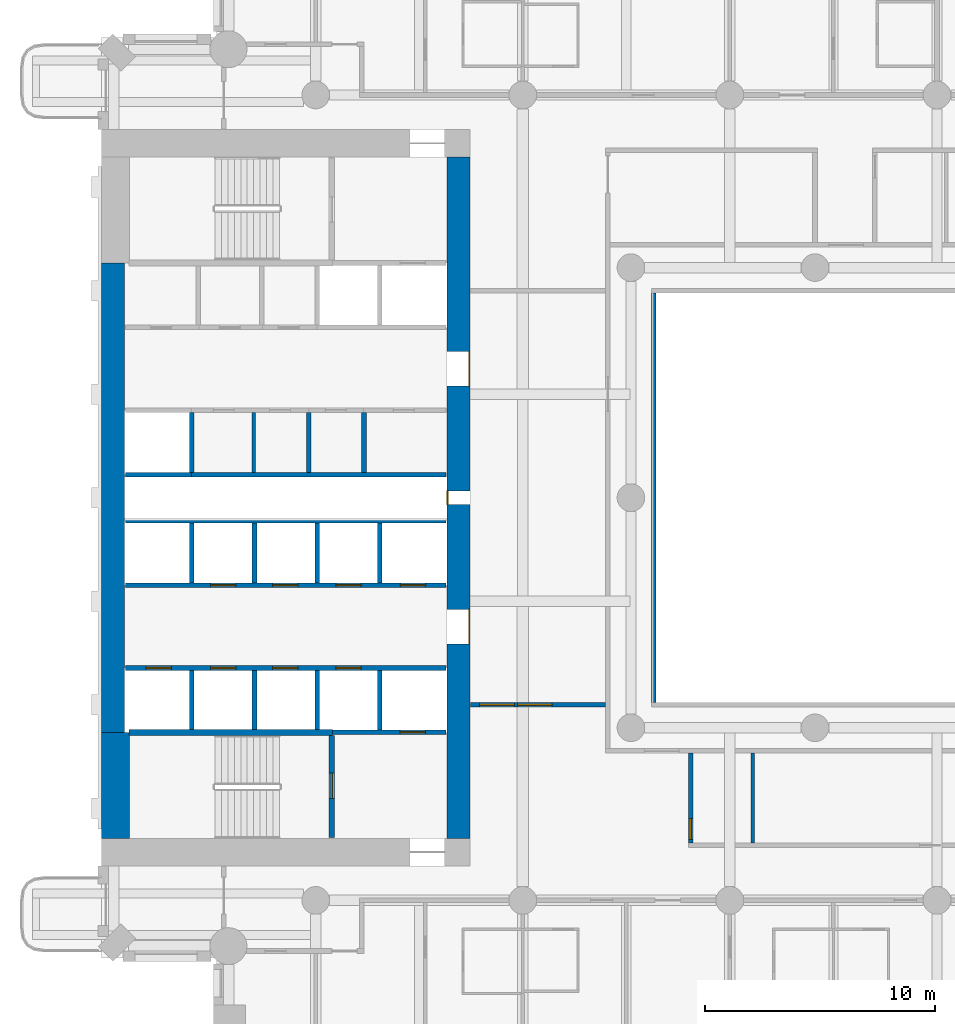
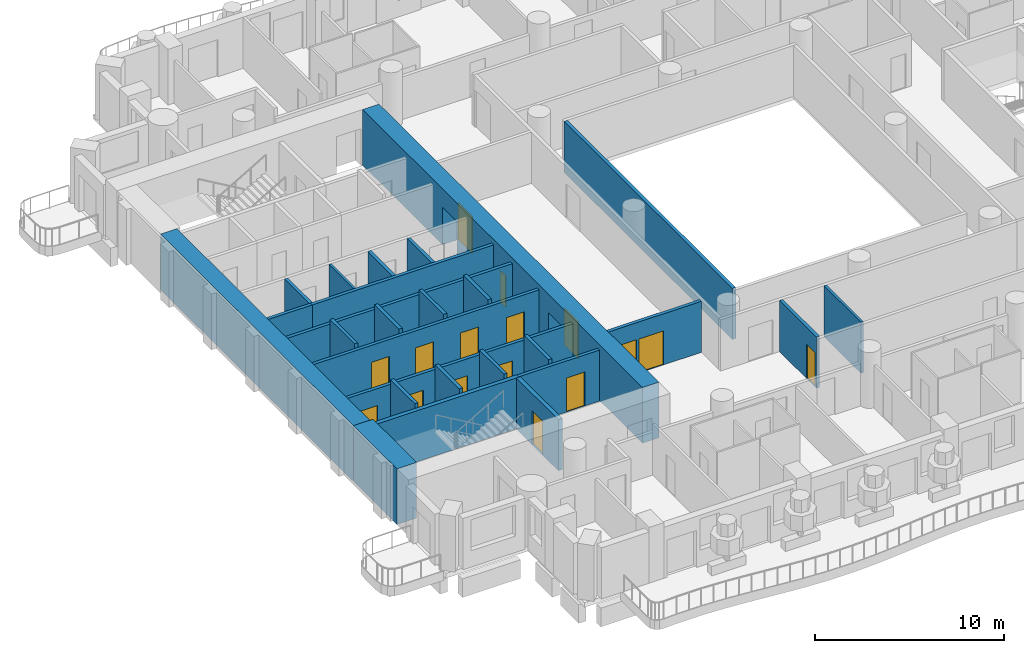
# One storey, part 4 of 20: 27 walls, 16 doors, 16 openings.
"""IFC4 building model written with IfcOpenShell, lengths in metres."""

from ifc_helpers import new_model, si_unit, direction, frame, frame_2d, origin, place, context, subcontext, project, spatial, rectangle, extrude, material, layer, layer_set, type_object, element, fill, save


model = new_model("IFC4")

# Units and contexts
model_context = context("Model", 3, precision=1e-05, world=origin(), true_north=direction((0.0, 1.0)))
body_context = subcontext(model_context, "Body", "Model", "MODEL_VIEW")
ifc_project = project(units=[si_unit("LENGTHUNIT", "METRE"), si_unit("AREAUNIT", "SQUARE_METRE"), si_unit("VOLUMEUNIT", "CUBIC_METRE"), si_unit("PLANEANGLEUNIT", "RADIAN"), si_unit("MASSUNIT", "GRAM", prefix="KILO")], contexts=[model_context])

# Site, building, storey
site_placement = place(None, origin())
site = spatial("IfcSite", under=ifc_project, at=site_placement, CompositionType="ELEMENT")
building_placement = place(site_placement, origin())
building = spatial("IfcBuilding", under=site, at=building_placement, Name="Cypress Arch Tower", CompositionType="ELEMENT")
storey_placement = place(building_placement, frame((0.0, 0.0, 84.300048828125)))
storey = spatial("IfcBuildingStorey", under=building, at=storey_placement, Name="L15", CompositionType="ELEMENT", Elevation=84.300048828125)

# Wall, openings, doors
ifc_material_1 = material(Name="Concrete C80/95", Category="concrete")
ifc_layer_1 = layer(ifc_material_1, 1.0)
ifc_layer_set_1 = layer_set([ifc_layer_1], Name="Core wall CW1000 C80/95")
wall_type_1 = type_object("IfcWallType", Name="Core wall CW1000 C80/95", PredefinedType="SHEAR", material=ifc_layer_set_1)
wall_1_placement = place(storey_placement, frame((-14.5, -14.800048828125, 0.0), z_axis=(0.0, 0.0, 1.0), x_axis=(0.0, 1.0, 0.0)))
wall_1 = element("IfcWall", 1, at=wall_1_placement, inside=storey, type_object=wall_type_1, Name="Core wall", PredefinedType="SHEAR", context=body_context, shape_type="SweptSolid", body=[
    extrude(rectangle(XDim=29.60009765625, YDim=1.0, at=frame_2d((14.800048828125, 0.0))), origin(), (0.0, 0.0, 1.0), 3.599853515625),
])
opening_1_placement = place(wall_1_placement, frame((8.449951171875, 0.0, 0.0)))
opening_1 = element("IfcOpeningElement", 2, at=opening_1_placement, cuts=wall_1, Name="Opening D07", PredefinedType="OPENING", context=body_context, shape_type="SweptSolid", body=[
    extrude(rectangle(XDim=1.5, YDim=2.39990234375, at=frame_2d((0.75, 1.199951171875))), frame((0.0, 0.510009765625, 0.0), z_axis=(0.0, -1.0, 0.0), x_axis=(1.0, 0.0, 0.0)), (0.0, 0.0, 1.0), 1.02001953125),
])
opening_2_placement = place(wall_1_placement, frame((19.64990234375, 0.0, 0.0)))
opening_2 = element("IfcOpeningElement", 3, at=opening_2_placement, cuts=wall_1, Name="Opening D07", PredefinedType="OPENING", context=body_context, shape_type="SweptSolid", body=[
    extrude(rectangle(XDim=1.5, YDim=2.39990234375, at=frame_2d((0.75, 1.199951171875))), frame((0.0, 0.510009765625, 0.0), z_axis=(0.0, -1.0, 0.0), x_axis=(1.0, 0.0, 0.0)), (0.0, 0.0, 1.0), 1.02001953125),
])
opening_3_placement = place(wall_1_placement, frame((14.5, 0.0, 0.0)))
opening_3 = element("IfcOpeningElement", 4, at=opening_3_placement, cuts=wall_1, Name="Opening D08", PredefinedType="OPENING", context=body_context, shape_type="SweptSolid", body=[
    extrude(rectangle(XDim=0.60009765625, YDim=2.0, at=frame_2d((0.300048828125, 1.0))), frame((0.0, 0.510009765625, 0.0), z_axis=(0.0, -1.0, 0.0), x_axis=(1.0, 0.0, 0.0)), (0.0, 0.0, 1.0), 1.02001953125),
])
ifc_material_2 = material(Name="Steel framed glazed door, fire resisting", Category="steel")
door_type_1 = type_object("IfcDoorType", Name="Lobby door D07 1500x2400", OperationType="DOUBLE_DOOR_SINGLE_SWING", PredefinedType="DOOR", material=ifc_material_2)
door_1_placement = place(opening_1_placement, origin())
door_1 = element("IfcDoor", 5, at=door_1_placement, inside=storey, type_object=door_type_1, Name="Lobby door", OperationType="DOUBLE_DOOR_SINGLE_SWING", OverallHeight=2.39990234375, OverallWidth=1.5, PredefinedType="DOOR", context=body_context, shape_type="SweptSolid", body=[
    extrude(rectangle(XDim=1.5, YDim=2.39990234375, at=frame_2d((0.75, 1.199951171875))), frame((0.0, -0.44482421875, 0.0), z_axis=(0.0, -1.0, 0.0), x_axis=(1.0, 0.0, 0.0)), (0.0, 0.0, 1.0), 0.050048828125),
])
fill(opening_1, door_1)
door_2_placement = place(opening_2_placement, origin())
door_2 = element("IfcDoor", 6, at=door_2_placement, inside=storey, type_object=door_type_1, Name="Lobby door", OperationType="DOUBLE_DOOR_SINGLE_SWING", OverallHeight=2.39990234375, OverallWidth=1.5, PredefinedType="DOOR", context=body_context, shape_type="SweptSolid", body=[
    extrude(rectangle(XDim=1.5, YDim=2.39990234375, at=frame_2d((0.75, 1.199951171875))), frame((0.0, -0.44482421875, 0.0), z_axis=(0.0, -1.0, 0.0), x_axis=(1.0, 0.0, 0.0)), (0.0, 0.0, 1.0), 0.050048828125),
])
fill(opening_2, door_2)
ifc_material_3 = material(Name="Steel access door, fire resisting", Category="steel")
door_type_2 = type_object("IfcDoorType", Name="Riser access door D08 600x2000", OperationType="SINGLE_SWING_LEFT", PredefinedType="DOOR", material=ifc_material_3)
door_3_placement = place(opening_3_placement, origin())
door_3 = element("IfcDoor", 7, at=door_3_placement, inside=storey, type_object=door_type_2, Name="Riser access door", OperationType="SINGLE_SWING_RIGHT", OverallHeight=2.0, OverallWidth=0.60009765625, PredefinedType="DOOR", context=body_context, shape_type="SweptSolid", body=[
    extrude(rectangle(XDim=0.60009765625, YDim=2.0, at=frame_2d((0.300048828125, 1.0))), frame((0.0, 0.4951171875, 0.0), z_axis=(0.0, -1.0, 0.0), x_axis=(1.0, 0.0, 0.0)), (0.0, 0.0, 1.0), 0.050048828125),
])
fill(opening_3, door_3)

# Walls
wall_2_placement = place(storey_placement, frame((-29.5, -10.199951171875, 0.0), z_axis=(0.0, 0.0, 1.0), x_axis=(0.0, 1.0, 0.0)))
element("IfcWall", 8, at=wall_2_placement, inside=storey, type_object=wall_type_1, Name="Core wall", PredefinedType="SHEAR", context=body_context, shape_type="SweptSolid", body=[
    extrude(rectangle(XDim=20.39990234375, YDim=1.0, at=frame_2d((10.199951171875, 0.0))), origin(), (0.0, 0.0, 1.0), 3.599853515625),
])
ifc_material_4 = material(Name="Concrete C80/95", Category="concrete")
ifc_layer_2 = layer(ifc_material_4, 1.199951171875)
ifc_layer_set_2 = layer_set([ifc_layer_2], Name="Core wall CW1200 C80/95")
wall_type_2 = type_object("IfcWallType", Name="Core wall CW1200 C80/95", PredefinedType="SHEAR", material=ifc_layer_set_2)
wall_3_placement = place(storey_placement, frame((-29.39990234375, -14.800048828125, 0.0), z_axis=(0.0, 0.0, 1.0), x_axis=(0.0, 1.0, 0.0)))
element("IfcWall", 9, at=wall_3_placement, inside=storey, type_object=wall_type_2, Name="Core wall", PredefinedType="SHEAR", context=body_context, shape_type="SweptSolid", body=[
    extrude(rectangle(XDim=4.60009765625, YDim=1.199951171875, at=frame_2d((2.300048828125, 0.0))), origin(), (0.0, 0.0, 1.0), 3.599853515625),
])

# Wall, openings, doors
ifc_material_5 = material(Name="Concrete blockwork, plastered, rated", Category="masonry")
ifc_layer_3 = layer(ifc_material_5, 0.199951171875)
ifc_layer_set_3 = layer_set([ifc_layer_3], Name="Corridor wall FW200")
wall_type_3 = type_object("IfcWallType", Name="Corridor wall FW200", PredefinedType="PARTITIONING", material=ifc_layer_set_3)
wall_4_placement = place(storey_placement, frame((-13.969970703125, -9.0, 0.0), z_axis=(0.0, 0.0, 1.0), x_axis=(1.0, 0.0, 0.0)))
wall_4 = element("IfcWall", 10, at=wall_4_placement, inside=storey, type_object=wall_type_3, Name="Corridor wall", PredefinedType="PARTITIONING", context=body_context, shape_type="SweptSolid", body=[
    extrude(rectangle(XDim=5.869873046875, YDim=0.199951171875, at=frame_2d((2.93505859375, 0.0))), origin(), (0.0, 0.0, 1.0), 3.300048828125),
])
opening_4_placement = place(wall_4_placement, frame((0.39990234375, 0.0, 0.0)))
opening_4 = element("IfcOpeningElement", 11, at=opening_4_placement, cuts=wall_4, Name="Opening D04", PredefinedType="OPENING", context=body_context, shape_type="SweptSolid", body=[
    extrude(rectangle(XDim=1.5, YDim=2.199951171875, at=frame_2d((0.75, 1.10009765625))), frame((0.0, 0.10986328125, 0.0), z_axis=(0.0, -1.0, 0.0), x_axis=(1.0, 0.0, 0.0)), (0.0, 0.0, 1.0), 0.219970703125),
])
opening_5_placement = place(wall_4_placement, frame((2.050048828125, 0.0, 0.0)))
opening_5 = element("IfcOpeningElement", 12, at=opening_5_placement, cuts=wall_4, Name="Opening D04", PredefinedType="OPENING", context=body_context, shape_type="SweptSolid", body=[
    extrude(rectangle(XDim=1.5, YDim=2.199951171875, at=frame_2d((0.75, 1.10009765625))), frame((0.0, 0.10986328125, 0.0), z_axis=(0.0, -1.0, 0.0), x_axis=(1.0, 0.0, 0.0)), (0.0, 0.0, 1.0), 0.219970703125),
])
ifc_material_6 = material(Name="Timber double door", Category="wood")
door_type_3 = type_object("IfcDoorType", Name="Double door D04 1500x2200", OperationType="DOUBLE_DOOR_SINGLE_SWING", PredefinedType="DOOR", material=ifc_material_6)
door_4_placement = place(opening_4_placement, origin())
door_4 = element("IfcDoor", 13, at=door_4_placement, inside=storey, type_object=door_type_3, Name="Double door", OperationType="DOUBLE_DOOR_SINGLE_SWING", OverallHeight=2.199951171875, OverallWidth=1.5, PredefinedType="DOOR", context=body_context, shape_type="SweptSolid", body=[
    extrude(rectangle(XDim=1.5, YDim=2.199951171875, at=frame_2d((0.75, 1.10009765625))), frame((0.0, 0.02490234375, 0.0), z_axis=(0.0, -1.0, 0.0), x_axis=(1.0, 0.0, 0.0)), (0.0, 0.0, 1.0), 0.050048828125),
])
fill(opening_4, door_4)
door_5_placement = place(opening_5_placement, origin())
door_5 = element("IfcDoor", 14, at=door_5_placement, inside=storey, type_object=door_type_3, Name="Double door", OperationType="DOUBLE_DOOR_SINGLE_SWING", OverallHeight=2.199951171875, OverallWidth=1.5, PredefinedType="DOOR", context=body_context, shape_type="SweptSolid", body=[
    extrude(rectangle(XDim=1.5, YDim=2.199951171875, at=frame_2d((0.75, 1.10009765625))), frame((0.0, 0.02490234375, 0.0), z_axis=(0.0, -1.0, 0.0), x_axis=(1.0, 0.0, 0.0)), (0.0, 0.0, 1.0), 0.050048828125),
])
fill(opening_5, door_5)

# Wall
wall_5_placement = place(storey_placement, frame((-6.0, -8.89990234375, 0.0), z_axis=(0.0, 0.0, 1.0), x_axis=(0.0, 1.0, 0.0)))
element("IfcWall", 15, at=wall_5_placement, inside=storey, type_object=wall_type_3, Name="Corridor wall", PredefinedType="PARTITIONING", context=body_context, shape_type="SweptSolid", body=[
    extrude(rectangle(XDim=17.7998046875, YDim=0.199951171875, at=frame_2d((8.89990234375, 0.0))), origin(), (0.0, 0.0, 1.0), 3.300048828125),
])

# Wall, opening, door
wall_6_placement = place(storey_placement, frame((-4.39990234375, -15.0, 0.0), z_axis=(0.0, 0.0, 1.0), x_axis=(0.0, 1.0, 0.0)))
wall_6 = element("IfcWall", 16, at=wall_6_placement, inside=storey, type_object=wall_type_3, Name="Corridor wall", PredefinedType="PARTITIONING", context=body_context, shape_type="SweptSolid", body=[
    extrude(rectangle(XDim=3.89990234375, YDim=0.199951171875, at=frame_2d((1.949951171875, 0.0))), origin(), (0.0, 0.0, 1.0), 3.300048828125),
])
opening_6_placement = place(wall_6_placement, frame((0.14990234375, 0.0, 0.0)))
opening_6 = element("IfcOpeningElement", 17, at=opening_6_placement, cuts=wall_6, Name="Opening D05", PredefinedType="OPENING", context=body_context, shape_type="SweptSolid", body=[
    extrude(rectangle(XDim=0.89990234375, YDim=2.199951171875, at=frame_2d((0.449951171875, 1.10009765625))), frame((0.0, 0.10986328125, 0.0), z_axis=(0.0, -1.0, 0.0), x_axis=(1.0, 0.0, 0.0)), (0.0, 0.0, 1.0), 0.219970703125),
])
ifc_material_7 = material(Name="Timber flush door", Category="wood")
door_type_4 = type_object("IfcDoorType", Name="Service door D05 900x2200", OperationType="SINGLE_SWING_LEFT", PredefinedType="DOOR", material=ifc_material_7)
door_6_placement = place(opening_6_placement, origin())
door_6 = element("IfcDoor", 18, at=door_6_placement, inside=storey, type_object=door_type_4, Name="Service door", OperationType="SINGLE_SWING_RIGHT", OverallHeight=2.199951171875, OverallWidth=0.89990234375, PredefinedType="DOOR", context=body_context, shape_type="SweptSolid", body=[
    extrude(rectangle(XDim=0.89990234375, YDim=2.199951171875, at=frame_2d((0.449951171875, 1.10009765625))), frame((0.0, 0.02490234375, 0.0), z_axis=(0.0, -1.0, 0.0), x_axis=(1.0, 0.0, 0.0)), (0.0, 0.0, 1.0), 0.050048828125),
])
fill(opening_6, door_6)

# Walls
ifc_material_8 = material(Name="Blockwork, plastered both sides", Category="masonry")
ifc_layer_4 = layer(ifc_material_8, 0.14990234375)
ifc_layer_set_4 = layer_set([ifc_layer_4], Name="Partition PW150")
wall_type_4 = type_object("IfcWallType", Name="Partition PW150", PredefinedType="PARTITIONING", material=ifc_layer_set_4)
wall_7_placement = place(storey_placement, frame((-23.39990234375, 1.10009765625, 0.0), z_axis=(0.0, 0.0, 1.0), x_axis=(0.0, 1.0, 0.0)))
element("IfcWall", 19, at=wall_7_placement, inside=storey, type_object=wall_type_4, Name="Partition", PredefinedType="PARTITIONING", context=body_context, shape_type="SweptSolid", body=[
    extrude(rectangle(XDim=2.599853515625, YDim=0.14990234375, at=frame_2d((1.2998046875, 0.0))), origin(), (0.0, 0.0, 1.0), 3.300048828125),
])
wall_8_placement = place(storey_placement, frame((-1.699951171875, -15.0, 0.0), z_axis=(0.0, 0.0, 1.0), x_axis=(0.0, 1.0, 0.0)))
element("IfcWall", 20, at=wall_8_placement, inside=storey, type_object=wall_type_4, Name="Partition", PredefinedType="PARTITIONING", context=body_context, shape_type="SweptSolid", body=[
    extrude(rectangle(XDim=3.89990234375, YDim=0.14990234375, at=frame_2d((1.949951171875, 0.0))), origin(), (0.0, 0.0, 1.0), 3.300048828125),
])
ifc_material_9 = material(Name="Reinforced blockwork, plastered, rated", Category="masonry")
ifc_layer_5 = layer(ifc_material_9, 0.199951171875)
ifc_layer_set_5 = layer_set([ifc_layer_5], Name="Plant and riser wall PL200")
wall_type_5 = type_object("IfcWallType", Name="Plant and riser wall PL200", PredefinedType="PARTITIONING", material=ifc_layer_set_5)
wall_9_placement = place(storey_placement, frame((-26.10009765625, 1.0, 0.0), z_axis=(0.0, 0.0, 1.0), x_axis=(1.0, 0.0, 0.0)))
element("IfcWall", 21, at=wall_9_placement, inside=storey, type_object=wall_type_5, Name="Plant and riser wall", PredefinedType="PARTITIONING", context=body_context, shape_type="SweptSolid", body=[
    extrude(rectangle(XDim=11.070068359375, YDim=0.199951171875, at=frame_2d((5.53515625, 0.0))), origin(), (0.0, 0.0, 1.0), 3.300048828125),
])
for number, where, z_axis, x_axis, name in (
    (22, (-21.0, 1.10009765625, 0.0), (0.0, 0.0, 1.0), (0.0, 1.0, 0.0), "Plant and riser wall"),
    (23, (-18.60009765625, 1.10009765625, 0.0), (0.0, 0.0, 1.0), (0.0, 1.0, 0.0), "Plant and riser wall"),
):
    element("IfcWall", number, at=place(storey_placement, frame(where, z_axis=z_axis, x_axis=x_axis)), inside=storey, type_object=wall_type_5, Name=name, PredefinedType="PARTITIONING", context=body_context, shape_type="SweptSolid", body=[
        extrude(rectangle(XDim=2.599853515625, YDim=0.199951171875, at=frame_2d((1.2998046875, 0.0))), origin(), (0.0, 0.0, 1.0), 3.300048828125),
    ])

# Wall, openings, doors
ifc_material_10 = material(Name="Concrete C50/60", Category="concrete")
ifc_layer_6 = layer(ifc_material_10, 0.199951171875)
ifc_layer_set_6 = layer_set([ifc_layer_6], Name="Shaft wall SH200")
wall_type_6 = type_object("IfcWallType", Name="Shaft wall SH200", PredefinedType="SHEAR", material=ifc_layer_set_6)
wall_10_placement = place(storey_placement, frame((-28.969970703125, -7.39990234375, 0.0), z_axis=(0.0, 0.0, 1.0), x_axis=(1.0, 0.0, 0.0)))
wall_10 = element("IfcWall", 24, at=wall_10_placement, inside=storey, type_object=wall_type_6, Name="Shaft wall", PredefinedType="SHEAR", context=body_context, shape_type="SweptSolid", body=[
    extrude(rectangle(XDim=13.93994140625, YDim=0.199951171875, at=frame_2d((6.969970703125, 0.0))), origin(), (0.0, 0.0, 1.0), 3.300048828125),
])
opening_7_placement = place(wall_10_placement, frame((0.89990234375, 0.0, 0.0)))
opening_7 = element("IfcOpeningElement", 25, at=opening_7_placement, cuts=wall_10, Name="Opening LD-LR1", PredefinedType="OPENING", context=body_context, shape_type="SweptSolid", body=[
    extrude(rectangle(XDim=1.10009765625, YDim=2.199951171875, at=frame_2d((0.550048828125, 1.10009765625))), frame((0.0, 0.10986328125, 0.0), z_axis=(0.0, -1.0, 0.0), x_axis=(1.0, 0.0, 0.0)), (0.0, 0.0, 1.0), 0.219970703125),
])
opening_8_placement = place(wall_10_placement, frame((3.699951171875, 0.0, 0.0)))
opening_8 = element("IfcOpeningElement", 26, at=opening_8_placement, cuts=wall_10, Name="Opening LD-LR2", PredefinedType="OPENING", context=body_context, shape_type="SweptSolid", body=[
    extrude(rectangle(XDim=1.10009765625, YDim=2.199951171875, at=frame_2d((0.550048828125, 1.10009765625))), frame((0.0, 0.10986328125, 0.0), z_axis=(0.0, -1.0, 0.0), x_axis=(1.0, 0.0, 0.0)), (0.0, 0.0, 1.0), 0.219970703125),
])
opening_9_placement = place(wall_10_placement, frame((6.39990234375, 0.0, 0.0)))
opening_9 = element("IfcOpeningElement", 27, at=opening_9_placement, cuts=wall_10, Name="Opening LD-LR3", PredefinedType="OPENING", context=body_context, shape_type="SweptSolid", body=[
    extrude(rectangle(XDim=1.10009765625, YDim=2.199951171875, at=frame_2d((0.550048828125, 1.10009765625))), frame((0.0, 0.10986328125, 0.0), z_axis=(0.0, -1.0, 0.0), x_axis=(1.0, 0.0, 0.0)), (0.0, 0.0, 1.0), 0.219970703125),
])
opening_10_placement = place(wall_10_placement, frame((9.14990234375, 0.0, 0.0)))
opening_10 = element("IfcOpeningElement", 28, at=opening_10_placement, cuts=wall_10, Name="Opening LD-LR4", PredefinedType="OPENING", context=body_context, shape_type="SweptSolid", body=[
    extrude(rectangle(XDim=1.10009765625, YDim=2.199951171875, at=frame_2d((0.550048828125, 1.10009765625))), frame((0.0, 0.10986328125, 0.0), z_axis=(0.0, -1.0, 0.0), x_axis=(1.0, 0.0, 0.0)), (0.0, 0.0, 1.0), 0.219970703125),
])
ifc_material_11 = material(Name="Stainless steel centre-opening landing door, rated", Category="steel")
door_type_5 = type_object("IfcDoorType", Name="Lift landing door LD 1100x2200", OperationType="DOUBLE_DOOR_SLIDING", PredefinedType="DOOR", material=ifc_material_11)
door_7_placement = place(opening_7_placement, origin())
door_7 = element("IfcDoor", 29, at=door_7_placement, inside=storey, type_object=door_type_5, Name="Lift landing doors LR1", OperationType="DOUBLE_DOOR_SLIDING", OverallHeight=2.199951171875, OverallWidth=1.10009765625, PredefinedType="DOOR", context=body_context, shape_type="SweptSolid", body=[
    extrude(rectangle(XDim=1.10009765625, YDim=2.199951171875, at=frame_2d((0.550048828125, 1.10009765625))), frame((0.0, 0.02490234375, 0.0), z_axis=(0.0, -1.0, 0.0), x_axis=(1.0, 0.0, 0.0)), (0.0, 0.0, 1.0), 0.050048828125),
])
fill(opening_7, door_7)
door_8_placement = place(opening_8_placement, origin())
door_8 = element("IfcDoor", 30, at=door_8_placement, inside=storey, type_object=door_type_5, Name="Lift landing doors LR2", OperationType="DOUBLE_DOOR_SLIDING", OverallHeight=2.199951171875, OverallWidth=1.10009765625, PredefinedType="DOOR", context=body_context, shape_type="SweptSolid", body=[
    extrude(rectangle(XDim=1.10009765625, YDim=2.199951171875, at=frame_2d((0.550048828125, 1.10009765625))), frame((0.0, 0.02490234375, 0.0), z_axis=(0.0, -1.0, 0.0), x_axis=(1.0, 0.0, 0.0)), (0.0, 0.0, 1.0), 0.050048828125),
])
fill(opening_8, door_8)
door_9_placement = place(opening_9_placement, origin())
door_9 = element("IfcDoor", 31, at=door_9_placement, inside=storey, type_object=door_type_5, Name="Lift landing doors LR3", OperationType="DOUBLE_DOOR_SLIDING", OverallHeight=2.199951171875, OverallWidth=1.10009765625, PredefinedType="DOOR", context=body_context, shape_type="SweptSolid", body=[
    extrude(rectangle(XDim=1.10009765625, YDim=2.199951171875, at=frame_2d((0.550048828125, 1.10009765625))), frame((0.0, 0.02490234375, 0.0), z_axis=(0.0, -1.0, 0.0), x_axis=(1.0, 0.0, 0.0)), (0.0, 0.0, 1.0), 0.050048828125),
])
fill(opening_9, door_9)
door_10_placement = place(opening_10_placement, origin())
door_10 = element("IfcDoor", 32, at=door_10_placement, inside=storey, type_object=door_type_5, Name="Lift landing doors LR4", OperationType="DOUBLE_DOOR_SLIDING", OverallHeight=2.199951171875, OverallWidth=1.10009765625, PredefinedType="DOOR", context=body_context, shape_type="SweptSolid", body=[
    extrude(rectangle(XDim=1.10009765625, YDim=2.199951171875, at=frame_2d((0.550048828125, 1.10009765625))), frame((0.0, 0.02490234375, 0.0), z_axis=(0.0, -1.0, 0.0), x_axis=(1.0, 0.0, 0.0)), (0.0, 0.0, 1.0), 0.050048828125),
])
fill(opening_10, door_10)

wall_11_placement = place(storey_placement, frame((-28.969970703125, -3.800048828125, 0.0), z_axis=(0.0, 0.0, 1.0), x_axis=(1.0, 0.0, 0.0)))
wall_11 = element("IfcWall", 33, at=wall_11_placement, inside=storey, type_object=wall_type_6, Name="Shaft wall", PredefinedType="SHEAR", context=body_context, shape_type="SweptSolid", body=[
    extrude(rectangle(XDim=13.93994140625, YDim=0.199951171875, at=frame_2d((6.969970703125, 0.0))), origin(), (0.0, 0.0, 1.0), 3.300048828125),
])
opening_11_placement = place(wall_11_placement, frame((3.699951171875, 0.0, 0.0)))
opening_11 = element("IfcOpeningElement", 34, at=opening_11_placement, cuts=wall_11, Name="Opening LD-LR5", PredefinedType="OPENING", context=body_context, shape_type="SweptSolid", body=[
    extrude(rectangle(XDim=1.10009765625, YDim=2.199951171875, at=frame_2d((0.550048828125, 1.10009765625))), frame((0.0, 0.10986328125, 0.0), z_axis=(0.0, -1.0, 0.0), x_axis=(1.0, 0.0, 0.0)), (0.0, 0.0, 1.0), 0.219970703125),
])
opening_12_placement = place(wall_11_placement, frame((6.39990234375, 0.0, 0.0)))
opening_12 = element("IfcOpeningElement", 35, at=opening_12_placement, cuts=wall_11, Name="Opening LD-LR6", PredefinedType="OPENING", context=body_context, shape_type="SweptSolid", body=[
    extrude(rectangle(XDim=1.10009765625, YDim=2.199951171875, at=frame_2d((0.550048828125, 1.10009765625))), frame((0.0, 0.10986328125, 0.0), z_axis=(0.0, -1.0, 0.0), x_axis=(1.0, 0.0, 0.0)), (0.0, 0.0, 1.0), 0.219970703125),
])
opening_13_placement = place(wall_11_placement, frame((9.14990234375, 0.0, 0.0)))
opening_13 = element("IfcOpeningElement", 36, at=opening_13_placement, cuts=wall_11, Name="Opening LD-LR7", PredefinedType="OPENING", context=body_context, shape_type="SweptSolid", body=[
    extrude(rectangle(XDim=1.10009765625, YDim=2.199951171875, at=frame_2d((0.550048828125, 1.10009765625))), frame((0.0, 0.10986328125, 0.0), z_axis=(0.0, -1.0, 0.0), x_axis=(1.0, 0.0, 0.0)), (0.0, 0.0, 1.0), 0.219970703125),
])
opening_14_placement = place(wall_11_placement, frame((11.949951171875, 0.0, 0.0)))
opening_14 = element("IfcOpeningElement", 37, at=opening_14_placement, cuts=wall_11, Name="Opening LD-LR8", PredefinedType="OPENING", context=body_context, shape_type="SweptSolid", body=[
    extrude(rectangle(XDim=1.10009765625, YDim=2.199951171875, at=frame_2d((0.550048828125, 1.10009765625))), frame((0.0, 0.10986328125, 0.0), z_axis=(0.0, -1.0, 0.0), x_axis=(1.0, 0.0, 0.0)), (0.0, 0.0, 1.0), 0.219970703125),
])
door_11_placement = place(opening_11_placement, origin())
door_11 = element("IfcDoor", 38, at=door_11_placement, inside=storey, type_object=door_type_5, Name="Lift landing doors LR5", OperationType="DOUBLE_DOOR_SLIDING", OverallHeight=2.199951171875, OverallWidth=1.10009765625, PredefinedType="DOOR", context=body_context, shape_type="SweptSolid", body=[
    extrude(rectangle(XDim=1.10009765625, YDim=2.199951171875, at=frame_2d((0.550048828125, 1.10009765625))), frame((0.0, 0.02490234375, 0.0), z_axis=(0.0, -1.0, 0.0), x_axis=(1.0, 0.0, 0.0)), (0.0, 0.0, 1.0), 0.050048828125),
])
fill(opening_11, door_11)
door_12_placement = place(opening_12_placement, origin())
door_12 = element("IfcDoor", 39, at=door_12_placement, inside=storey, type_object=door_type_5, Name="Lift landing doors LR6", OperationType="DOUBLE_DOOR_SLIDING", OverallHeight=2.199951171875, OverallWidth=1.10009765625, PredefinedType="DOOR", context=body_context, shape_type="SweptSolid", body=[
    extrude(rectangle(XDim=1.10009765625, YDim=2.199951171875, at=frame_2d((0.550048828125, 1.10009765625))), frame((0.0, 0.02490234375, 0.0), z_axis=(0.0, -1.0, 0.0), x_axis=(1.0, 0.0, 0.0)), (0.0, 0.0, 1.0), 0.050048828125),
])
fill(opening_12, door_12)
door_13_placement = place(opening_13_placement, origin())
door_13 = element("IfcDoor", 40, at=door_13_placement, inside=storey, type_object=door_type_5, Name="Lift landing doors LR7", OperationType="DOUBLE_DOOR_SLIDING", OverallHeight=2.199951171875, OverallWidth=1.10009765625, PredefinedType="DOOR", context=body_context, shape_type="SweptSolid", body=[
    extrude(rectangle(XDim=1.10009765625, YDim=2.199951171875, at=frame_2d((0.550048828125, 1.10009765625))), frame((0.0, 0.02490234375, 0.0), z_axis=(0.0, -1.0, 0.0), x_axis=(1.0, 0.0, 0.0)), (0.0, 0.0, 1.0), 0.050048828125),
])
fill(opening_13, door_13)
door_14_placement = place(opening_14_placement, origin())
door_14 = element("IfcDoor", 41, at=door_14_placement, inside=storey, type_object=door_type_5, Name="Lift landing doors LR8", OperationType="DOUBLE_DOOR_SLIDING", OverallHeight=2.199951171875, OverallWidth=1.10009765625, PredefinedType="DOOR", context=body_context, shape_type="SweptSolid", body=[
    extrude(rectangle(XDim=1.10009765625, YDim=2.199951171875, at=frame_2d((0.550048828125, 1.10009765625))), frame((0.0, 0.02490234375, 0.0), z_axis=(0.0, -1.0, 0.0), x_axis=(1.0, 0.0, 0.0)), (0.0, 0.0, 1.0), 0.050048828125),
])
fill(opening_14, door_14)

# Walls
wall_12_placement = place(storey_placement, frame((-28.969970703125, -1.0, 0.0), z_axis=(0.0, 0.0, 1.0), x_axis=(1.0, 0.0, 0.0)))
element("IfcWall", 42, at=wall_12_placement, inside=storey, type_object=wall_type_6, Name="Shaft wall", PredefinedType="SHEAR", context=body_context, shape_type="SweptSolid", body=[
    extrude(rectangle(XDim=13.93994140625, YDim=0.199951171875, at=frame_2d((6.969970703125, 0.0))), origin(), (0.0, 0.0, 1.0), 3.300048828125),
])
wall_13_placement = place(storey_placement, frame((-28.969970703125, 1.0, 0.0), z_axis=(0.0, 0.0, 1.0), x_axis=(1.0, 0.0, 0.0)))
element("IfcWall", 43, at=wall_13_placement, inside=storey, type_object=wall_type_6, Name="Shaft wall", PredefinedType="SHEAR", context=body_context, shape_type="SweptSolid", body=[
    extrude(rectangle(XDim=2.869873046875, YDim=0.199951171875, at=frame_2d((1.43505859375, 0.0))), origin(), (0.0, 0.0, 1.0), 3.300048828125),
])
wall_14_placement = place(storey_placement, frame((-26.080078125, -10.074951171875, 0.0), z_axis=(0.0, 0.0, 1.0), x_axis=(0.0, 1.0, 0.0)))
element("IfcWall", 44, at=wall_14_placement, inside=storey, type_object=wall_type_6, Name="Shaft wall", PredefinedType="SHEAR", context=body_context, shape_type="SweptSolid", body=[
    extrude(rectangle(XDim=2.574951171875, YDim=0.199951171875, at=frame_2d((1.28759765625, 0.0))), origin(), (0.0, 0.0, 1.0), 3.599853515625),
])
wall_15_placement = place(storey_placement, frame((-26.080078125, -3.699951171875, 0.0), z_axis=(0.0, 0.0, 1.0), x_axis=(0.0, 1.0, 0.0)))
element("IfcWall", 45, at=wall_15_placement, inside=storey, type_object=wall_type_6, Name="Shaft wall", PredefinedType="SHEAR", context=body_context, shape_type="SweptSolid", body=[
    extrude(rectangle(XDim=2.599853515625, YDim=0.199951171875, at=frame_2d((1.2998046875, 0.0))), origin(), (0.0, 0.0, 1.0), 3.599853515625),
])
wall_16_placement = place(storey_placement, frame((-26.080078125, 1.10009765625, 0.0), z_axis=(0.0, 0.0, 1.0), x_axis=(0.0, 1.0, 0.0)))
element("IfcWall", 46, at=wall_16_placement, inside=storey, type_object=wall_type_6, Name="Shaft wall", PredefinedType="SHEAR", context=body_context, shape_type="SweptSolid", body=[
    extrude(rectangle(XDim=2.599853515625, YDim=0.199951171875, at=frame_2d((1.2998046875, 0.0))), origin(), (0.0, 0.0, 1.0), 3.300048828125),
])
wall_17_placement = place(storey_placement, frame((-23.360107421875, -10.074951171875, 0.0), z_axis=(0.0, 0.0, 1.0), x_axis=(0.0, 1.0, 0.0)))
element("IfcWall", 47, at=wall_17_placement, inside=storey, type_object=wall_type_6, Name="Shaft wall", PredefinedType="SHEAR", context=body_context, shape_type="SweptSolid", body=[
    extrude(rectangle(XDim=2.574951171875, YDim=0.199951171875, at=frame_2d((1.28759765625, 0.0))), origin(), (0.0, 0.0, 1.0), 3.599853515625),
])
wall_18_placement = place(storey_placement, frame((-23.360107421875, -3.699951171875, 0.0), z_axis=(0.0, 0.0, 1.0), x_axis=(0.0, 1.0, 0.0)))
element("IfcWall", 48, at=wall_18_placement, inside=storey, type_object=wall_type_6, Name="Shaft wall", PredefinedType="SHEAR", context=body_context, shape_type="SweptSolid", body=[
    extrude(rectangle(XDim=2.599853515625, YDim=0.199951171875, at=frame_2d((1.2998046875, 0.0))), origin(), (0.0, 0.0, 1.0), 3.599853515625),
])
wall_19_placement = place(storey_placement, frame((-20.639892578125, -10.074951171875, 0.0), z_axis=(0.0, 0.0, 1.0), x_axis=(0.0, 1.0, 0.0)))
element("IfcWall", 49, at=wall_19_placement, inside=storey, type_object=wall_type_6, Name="Shaft wall", PredefinedType="SHEAR", context=body_context, shape_type="SweptSolid", body=[
    extrude(rectangle(XDim=2.574951171875, YDim=0.199951171875, at=frame_2d((1.28759765625, 0.0))), origin(), (0.0, 0.0, 1.0), 3.599853515625),
])
wall_20_placement = place(storey_placement, frame((-20.639892578125, -3.699951171875, 0.0), z_axis=(0.0, 0.0, 1.0), x_axis=(0.0, 1.0, 0.0)))
element("IfcWall", 50, at=wall_20_placement, inside=storey, type_object=wall_type_6, Name="Shaft wall", PredefinedType="SHEAR", context=body_context, shape_type="SweptSolid", body=[
    extrude(rectangle(XDim=2.599853515625, YDim=0.199951171875, at=frame_2d((1.2998046875, 0.0))), origin(), (0.0, 0.0, 1.0), 3.599853515625),
])

# Wall, opening, door
wall_21_placement = place(storey_placement, frame((-19.97998046875, -10.199951171875, 0.0), z_axis=(0.0, 0.0, 1.0), x_axis=(1.0, 0.0, 0.0)))
wall_21 = element("IfcWall", 51, at=wall_21_placement, inside=storey, type_object=wall_type_6, Name="Shaft wall", PredefinedType="SHEAR", context=body_context, shape_type="SweptSolid", body=[
    extrude(rectangle(XDim=4.949951171875, YDim=0.199951171875, at=frame_2d((2.47509765625, 0.0))), origin(), (0.0, 0.0, 1.0), 3.300048828125),
])
opening_15_placement = place(wall_21_placement, frame((2.949951171875, 0.0, 0.0)))
opening_15 = element("IfcOpeningElement", 52, at=opening_15_placement, cuts=wall_21, Name="Opening LD-FL1", PredefinedType="OPENING", context=body_context, shape_type="SweptSolid", body=[
    extrude(rectangle(XDim=1.10009765625, YDim=2.199951171875, at=frame_2d((0.550048828125, 1.10009765625))), frame((0.0, 0.10986328125, 0.0), z_axis=(0.0, -1.0, 0.0), x_axis=(1.0, 0.0, 0.0)), (0.0, 0.0, 1.0), 0.219970703125),
])
door_15_placement = place(opening_15_placement, origin())
door_15 = element("IfcDoor", 53, at=door_15_placement, inside=storey, type_object=door_type_5, Name="Lift landing doors FL1", OperationType="DOUBLE_DOOR_SLIDING", OverallHeight=2.199951171875, OverallWidth=1.10009765625, PredefinedType="DOOR", context=body_context, shape_type="SweptSolid", body=[
    extrude(rectangle(XDim=1.10009765625, YDim=2.199951171875, at=frame_2d((0.550048828125, 1.10009765625))), frame((0.0, 0.02490234375, 0.0), z_axis=(0.0, -1.0, 0.0), x_axis=(1.0, 0.0, 0.0)), (0.0, 0.0, 1.0), 0.050048828125),
])
fill(opening_15, door_15)

# Walls
wall_22_placement = place(storey_placement, frame((-17.919921875, -10.10009765625, 0.0), z_axis=(0.0, 0.0, 1.0), x_axis=(0.0, 1.0, 0.0)))
element("IfcWall", 54, at=wall_22_placement, inside=storey, type_object=wall_type_6, Name="Shaft wall", PredefinedType="SHEAR", context=body_context, shape_type="SweptSolid", body=[
    extrude(rectangle(XDim=2.60009765625, YDim=0.199951171875, at=frame_2d((1.300048828125, 0.0))), origin(), (0.0, 0.0, 1.0), 3.599853515625),
])
wall_23_placement = place(storey_placement, frame((-17.919921875, -3.699951171875, 0.0), z_axis=(0.0, 0.0, 1.0), x_axis=(0.0, 1.0, 0.0)))
element("IfcWall", 55, at=wall_23_placement, inside=storey, type_object=wall_type_6, Name="Shaft wall", PredefinedType="SHEAR", context=body_context, shape_type="SweptSolid", body=[
    extrude(rectangle(XDim=2.599853515625, YDim=0.199951171875, at=frame_2d((1.2998046875, 0.0))), origin(), (0.0, 0.0, 1.0), 3.599853515625),
])
ifc_material_12 = material(Name="Concrete C50/60", Category="concrete")
ifc_layer_7 = layer(ifc_material_12, 0.25)
ifc_layer_set_7 = layer_set([ifc_layer_7], Name="Stair enclosure wall SW250")
wall_type_7 = type_object("IfcWallType", Name="Stair enclosure wall SW250", PredefinedType="SHEAR", material=ifc_layer_set_7)
wall_24_placement = place(storey_placement, frame((-28.81005859375, -10.199951171875, 0.0), z_axis=(0.0, 0.0, 1.0), x_axis=(1.0, 0.0, 0.0)))
element("IfcWall", 56, at=wall_24_placement, inside=storey, type_object=wall_type_7, Name="Stair enclosure wall", PredefinedType="SHEAR", context=body_context, shape_type="SweptSolid", body=[
    extrude(rectangle(XDim=8.830078125, YDim=0.25, at=frame_2d((4.4150390625, 0.0))), origin(), (0.0, 0.0, 1.0), 3.300048828125),
])

# Wall, opening, door
wall_25_placement = place(storey_placement, frame((-20.0, -14.77001953125, 0.0), z_axis=(0.0, 0.0, 1.0), x_axis=(0.0, 1.0, 0.0)))
wall_25 = element("IfcWall", 57, at=wall_25_placement, inside=storey, type_object=wall_type_7, Name="Stair enclosure wall", PredefinedType="SHEAR", context=body_context, shape_type="SweptSolid", body=[
    extrude(rectangle(XDim=4.445068359375, YDim=0.25, at=frame_2d((2.22265625, 0.0))), origin(), (0.0, 0.0, 1.0), 3.300048828125),
])
opening_16_placement = place(wall_25_placement, frame((1.699951171875, 0.0, 0.0)))
opening_16 = element("IfcOpeningElement", 58, at=opening_16_placement, cuts=wall_25, Name="Opening D06", PredefinedType="OPENING", context=body_context, shape_type="SweptSolid", body=[
    extrude(rectangle(XDim=1.10009765625, YDim=2.199951171875, at=frame_2d((0.550048828125, 1.10009765625))), frame((0.0, 0.135009765625, 0.0), z_axis=(0.0, -1.0, 0.0), x_axis=(1.0, 0.0, 0.0)), (0.0, 0.0, 1.0), 0.27001953125),
])
ifc_material_13 = material(Name="Steel door, fire resisting, panic bar", Category="steel")
door_type_6 = type_object("IfcDoorType", Name="Stair door D06 1100x2200", OperationType="SINGLE_SWING_LEFT", PredefinedType="DOOR", material=ifc_material_13)
door_16_placement = place(opening_16_placement, origin())
door_16 = element("IfcDoor", 59, at=door_16_placement, inside=storey, type_object=door_type_6, Name="Stair door", OperationType="SINGLE_SWING_RIGHT", OverallHeight=2.199951171875, OverallWidth=1.10009765625, PredefinedType="DOOR", context=body_context, shape_type="SweptSolid", body=[
    extrude(rectangle(XDim=1.10009765625, YDim=2.199951171875, at=frame_2d((0.550048828125, 1.10009765625))), frame((0.0, 0.02490234375, 0.0), z_axis=(0.0, -1.0, 0.0), x_axis=(1.0, 0.0, 0.0)), (0.0, 0.0, 1.0), 0.050048828125),
])
fill(opening_16, door_16)

save(model, "model.ifc")
